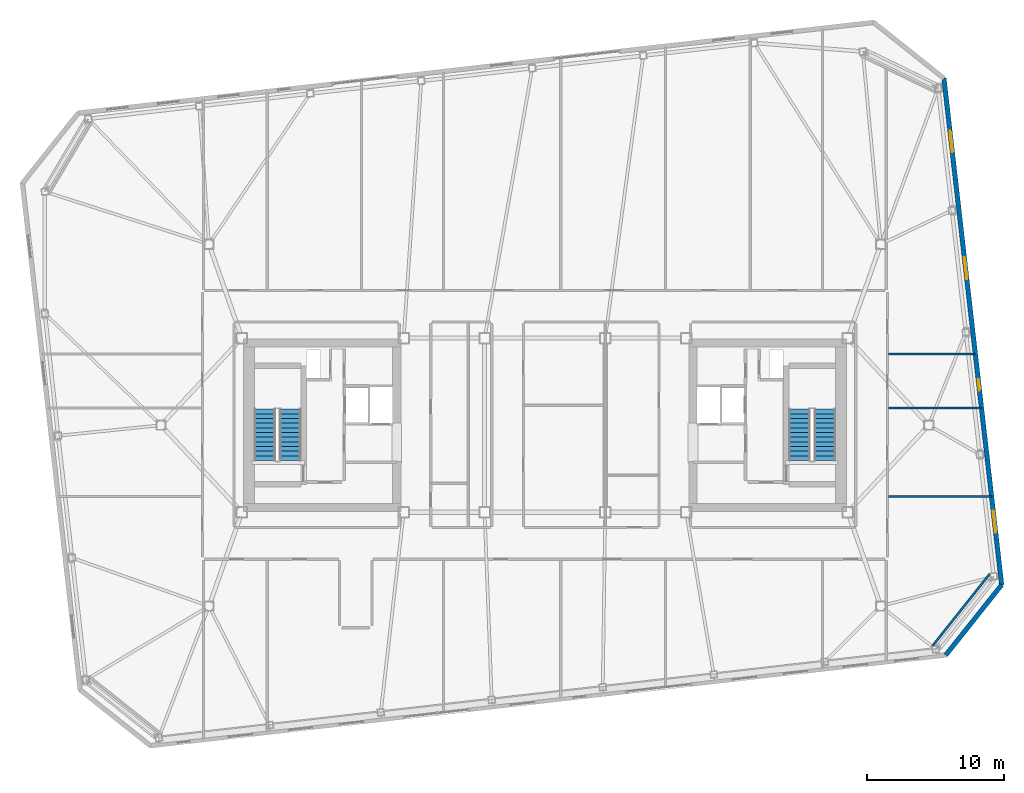
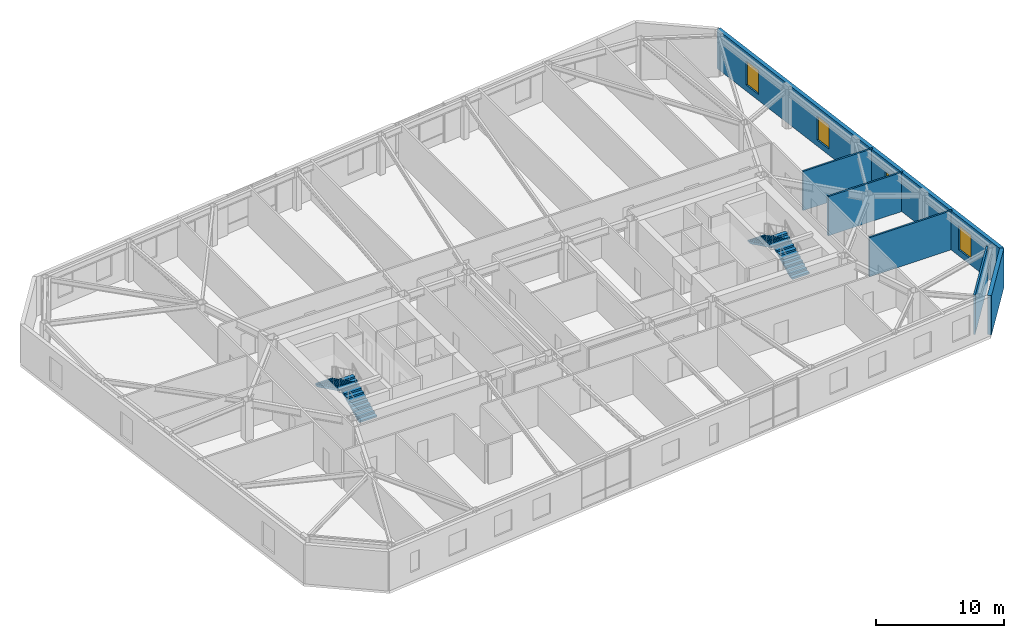
# One storey, part 16 of 19: 6 walls, 4 stair flights, 4 windows, 4 openings, 2 elements without a shape of their own.
"""IFC4 building model written with IfcOpenShell, lengths in metres."""

from ifc_helpers import new_model, si_unit, direction, frame, frame_2d, origin, place, context, subcontext, project, spatial, polyline, rectangle, outline, extrude, material, layer, layer_set, type_object, element, fill, aggregate, save


model = new_model("IFC4")

# Units and contexts
model_context = context("Model", 3, precision=1e-05, world=origin(), true_north=direction((0.0, 1.0)))
body_context = subcontext(model_context, "Body", "Model", "MODEL_VIEW")
ifc_project = project(units=[si_unit("LENGTHUNIT", "METRE"), si_unit("AREAUNIT", "SQUARE_METRE"), si_unit("VOLUMEUNIT", "CUBIC_METRE"), si_unit("PLANEANGLEUNIT", "RADIAN"), si_unit("MASSUNIT", "GRAM", prefix="KILO")], contexts=[model_context])

# Site, building, storey
site_placement = place(None, origin())
site = spatial("IfcSite", under=ifc_project, at=site_placement, CompositionType="ELEMENT")
building_placement = place(site_placement, origin())
building = spatial("IfcBuilding", under=site, at=building_placement, Name="Tavrogorsk Clinical Tower", CompositionType="ELEMENT")
storey_placement = place(building_placement, frame((0.0, 0.0, 259.0)))
storey = spatial("IfcBuildingStorey", under=building, at=storey_placement, Name="L60", CompositionType="ELEMENT", Elevation=259.0)

# Walls
ifc_material_1 = material(Name="Lightweight concrete blockwork B15", Category="masonry")
ifc_layer_1 = layer(ifc_material_1, 0.159912109375)
ifc_layer_set_1 = layer_set([ifc_layer_1], Name="Lightweight concrete blockwork B15")
wall_type_1 = type_object("IfcWallType", Name="PartitionWall_160", PredefinedType="PARTITIONING", material=ifc_layer_set_1)
wall_1_placement = place(storey_placement, frame((28.242431640625, -16.1337890625, 0.0), z_axis=(0.0, 0.0, 1.0), x_axis=(0.622521563328, 0.782602647064, 0.0)))
element("IfcWall", 1, at=wall_1_placement, inside=storey, type_object=wall_type_1, Name="L60 Corner Exoskeleton Brace Furring Wall 1", PredefinedType="PARTITIONING", context=body_context, shape_type="SweptSolid", body=[
    extrude(rectangle(XDim=6.788330078125, YDim=0.159912109375, at=frame_2d((3.39404296875, 0.0))), origin(), (0.0, 0.0, 1.0), 3.739990234375),
])
wall_2_placement = place(storey_placement, frame((25.06494140625, -5.199951171875, 0.0), z_axis=(0.0, 0.0, 1.0), x_axis=(1.0, 0.0, 0.0)))
element("IfcWall", 2, at=wall_2_placement, inside=storey, type_object=wall_type_1, Name="L60 E Wing Divider 1", PredefinedType="PARTITIONING", context=body_context, shape_type="SweptSolid", body=[
    extrude(rectangle(XDim=7.498046875, YDim=0.159912109375, at=frame_2d((3.7490234375, 0.0))), origin(), (0.0, 0.0, 1.0), 3.739990234375),
])
wall_3_placement = place(storey_placement, frame((25.06494140625, 1.25, 0.0), z_axis=(0.0, 0.0, 1.0), x_axis=(1.0, 0.0, 0.0)))
element("IfcWall", 3, at=wall_3_placement, inside=storey, type_object=wall_type_1, Name="L60 E Wing Divider 2", PredefinedType="PARTITIONING", context=body_context, shape_type="SweptSolid", body=[
    extrude(rectangle(XDim=6.76318359375, YDim=0.159912109375, at=frame_2d((3.381591796875, 0.0))), origin(), (0.0, 0.0, 1.0), 3.739990234375),
])
wall_4_placement = place(storey_placement, frame((25.06494140625, 5.199951171875, 0.0), z_axis=(0.0, 0.0, 1.0), x_axis=(1.0, 0.0, 0.0)))
element("IfcWall", 4, at=wall_4_placement, inside=storey, type_object=wall_type_1, Name="L60 E Wing Divider 3", PredefinedType="PARTITIONING", context=body_context, shape_type="SweptSolid", body=[
    extrude(rectangle(XDim=6.313232421875, YDim=0.159912109375, at=frame_2d((3.15673828125, 0.0))), origin(), (0.0, 0.0, 1.0), 3.739990234375),
])

# Wall, openings, windows
ifc_material_2 = material(Name="Precast concrete B45 with limestone cladding", Category="masonry")
ifc_layer_2 = layer(ifc_material_2, 0.340087890625)
ifc_layer_set_2 = layer_set([ifc_layer_2], Name="Precast concrete B45 with limestone cladding")
wall_type_2 = type_object("IfcWallType", Name="PrecastLimestoneWall_340", PredefinedType="STANDARD", material=ifc_layer_set_2)
wall_5_placement = place(storey_placement, frame((33.318115234375, -11.65087890625, 0.0), z_axis=(0.0, 0.0, 1.0), x_axis=(-0.11320360501, 0.9935718111, 0.0)))
wall_5 = element("IfcWall", 5, at=wall_5_placement, inside=storey, type_object=wall_type_2, Name="L60 E Pleated Limestone Wing Wall", PredefinedType="STANDARD", context=body_context, shape_type="SweptSolid", body=[
    extrude(rectangle(XDim=37.199951171875, YDim=0.340087890625, at=frame_2d((18.60009765625, 0.0))), origin(), (0.0, 0.0, 1.0), 3.739990234375),
])
opening_1_placement = place(wall_5_placement, frame((3.85009765625, 0.0, 0.580078125)))
opening_1 = element("IfcOpeningElement", 6, at=opening_1_placement, cuts=wall_5, Name="Opening WN-07", PredefinedType="OPENING", context=body_context, shape_type="SweptSolid", body=[
    extrude(rectangle(XDim=1.60009765625, YDim=2.300048828125, at=frame_2d((0.800048828125, 1.14990234375))), frame((0.0, 0.179931640625, 0.0), z_axis=(0.0, -1.0, 0.0), x_axis=(1.0, 0.0, 0.0)), (0.0, 0.0, 1.0), 0.360107421875),
])
opening_2_placement = place(wall_5_placement, frame((14.25, 0.0, 0.75)))
opening_2 = element("IfcOpeningElement", 7, at=opening_2_placement, cuts=wall_5, Name="Opening WN-06", PredefinedType="OPENING", context=body_context, shape_type="SweptSolid", body=[
    extrude(rectangle(XDim=0.85009765625, YDim=1.85009765625, at=frame_2d((0.425048828125, 0.925048828125))), frame((0.0, 0.179931640625, 0.0), z_axis=(0.0, -1.0, 0.0), x_axis=(1.0, 0.0, 0.0)), (0.0, 0.0, 1.0), 0.360107421875),
])
opening_3_placement = place(wall_5_placement, frame((22.449951171875, 0.0, 0.580078125)))
opening_3 = element("IfcOpeningElement", 8, at=opening_3_placement, cuts=wall_5, Name="Opening WN-07", PredefinedType="OPENING", context=body_context, shape_type="SweptSolid", body=[
    extrude(rectangle(XDim=1.60009765625, YDim=2.300048828125, at=frame_2d((0.800048828125, 1.14990234375))), frame((0.0, 0.179931640625, 0.0), z_axis=(0.0, -1.0, 0.0), x_axis=(1.0, 0.0, 0.0)), (0.0, 0.0, 1.0), 0.360107421875),
])
opening_4_placement = place(wall_5_placement, frame((31.75, 0.0, 0.580078125)))
opening_4 = element("IfcOpeningElement", 9, at=opening_4_placement, cuts=wall_5, Name="Opening WN-07", PredefinedType="OPENING", context=body_context, shape_type="SweptSolid", body=[
    extrude(rectangle(XDim=1.60009765625, YDim=2.300048828125, at=frame_2d((0.800048828125, 1.14990234375))), frame((0.0, 0.179931640625, 0.0), z_axis=(0.0, -1.0, 0.0), x_axis=(1.0, 0.0, 0.0)), (0.0, 0.0, 1.0), 0.360107421875),
])
ifc_material_3 = material(Name="Thermally broken aluminium frame and triple IGU", Category="aluminium")
window_type_1 = type_object("IfcWindowType", Name="MullionSubWin_850x1850", PartitioningType="SINGLE_PANEL", PredefinedType="WINDOW", material=ifc_material_3)
window_1_placement = place(opening_2_placement, origin())
window_1 = element("IfcWindow", 10, at=window_1_placement, inside=storey, type_object=window_type_1, Name="L60 E Pleat Mullion Window 2B", OverallHeight=1.85009765625, OverallWidth=0.85009765625, PartitioningType="SINGLE_PANEL", PredefinedType="WINDOW", context=body_context, shape_type="SweptSolid", body=[
    extrude(rectangle(XDim=0.85009765625, YDim=1.85009765625, at=frame_2d((0.425048828125, 0.925048828125))), frame((0.0, 0.030029296875, 0.0), z_axis=(0.0, -1.0, 0.0), x_axis=(1.0, 0.0, 0.0)), (0.0, 0.0, 1.0), 0.06005859375),
])
fill(opening_2, window_1)
ifc_material_4 = material(Name="Thermally broken aluminium frame and triple IGU", Category="aluminium")
window_type_2 = type_object("IfcWindowType", Name="PleatSlotWin_1600x2300", PartitioningType="SINGLE_PANEL", PredefinedType="WINDOW", material=ifc_material_4)
window_2_placement = place(opening_1_placement, origin())
window_2 = element("IfcWindow", 11, at=window_2_placement, inside=storey, type_object=window_type_2, Name="L60 E Pleat Slot Window 1", OverallHeight=2.300048828125, OverallWidth=1.60009765625, PartitioningType="SINGLE_PANEL", PredefinedType="WINDOW", context=body_context, shape_type="SweptSolid", body=[
    extrude(rectangle(XDim=1.60009765625, YDim=2.300048828125, at=frame_2d((0.800048828125, 1.14990234375))), frame((0.0, 0.030029296875, 0.0), z_axis=(0.0, -1.0, 0.0), x_axis=(1.0, 0.0, 0.0)), (0.0, 0.0, 1.0), 0.06005859375),
])
fill(opening_1, window_2)
window_3_placement = place(opening_3_placement, origin())
window_3 = element("IfcWindow", 12, at=window_3_placement, inside=storey, type_object=window_type_2, Name="L60 E Pleat Slot Window 3", OverallHeight=2.300048828125, OverallWidth=1.60009765625, PartitioningType="SINGLE_PANEL", PredefinedType="WINDOW", context=body_context, shape_type="SweptSolid", body=[
    extrude(rectangle(XDim=1.60009765625, YDim=2.300048828125, at=frame_2d((0.800048828125, 1.14990234375))), frame((0.0, 0.030029296875, 0.0), z_axis=(0.0, -1.0, 0.0), x_axis=(1.0, 0.0, 0.0)), (0.0, 0.0, 1.0), 0.06005859375),
])
fill(opening_3, window_3)
window_4_placement = place(opening_4_placement, origin())
window_4 = element("IfcWindow", 13, at=window_4_placement, inside=storey, type_object=window_type_2, Name="L60 E Pleat Slot Window 4", OverallHeight=2.300048828125, OverallWidth=1.60009765625, PartitioningType="SINGLE_PANEL", PredefinedType="WINDOW", context=body_context, shape_type="SweptSolid", body=[
    extrude(rectangle(XDim=1.60009765625, YDim=2.300048828125, at=frame_2d((0.800048828125, 1.14990234375))), frame((0.0, 0.030029296875, 0.0), z_axis=(0.0, -1.0, 0.0), x_axis=(1.0, 0.0, 0.0)), (0.0, 0.0, 1.0), 0.06005859375),
])
fill(opening_4, window_4)

# Wall
wall_6_placement = place(storey_placement, frame((29.241943359375, -16.775146484375, 0.0), z_axis=(0.0, 0.0, 1.0), x_axis=(0.62252823689, 0.78259733853, 0.0)))
element("IfcWall", 14, at=wall_6_placement, inside=storey, type_object=wall_type_2, Name="L60 Chamfered Corner Wall 1", PredefinedType="STANDARD", context=body_context, shape_type="SweptSolid", body=[
    extrude(rectangle(XDim=6.5478515625, YDim=0.340087890625, at=frame_2d((3.27392578125, 0.0))), origin(), (0.0, 0.0, 1.0), 3.739990234375),
])

# Stair, stair flights
ifc_material_5 = material(Name="Concrete B60", Category="concrete")
stair_type = type_object("IfcStairType", Name="CoreStairAssembly", PredefinedType="HALF_TURN_STAIR", material=ifc_material_5)
stair_1_placement = place(storey_placement, origin())
stair_1 = element("IfcStair", 15, at=stair_1_placement, inside=storey, type_object=stair_type, Name="L60 ST-W", PredefinedType="HALF_TURN_STAIR")
ifc_material_6 = material(Name="Concrete B60", Category="concrete")
stair_flight_type = type_object("IfcStairFlightType", Name="CoreStairFlight", PredefinedType="STRAIGHT", material=ifc_material_6)
stair_flight_1_placement = place(storey_placement, frame((-18.574951171875, -2.574951171875, 0.0), z_axis=(0.0, 0.0, 1.0), x_axis=(0.0, 1.0, 0.0)))
stair_flight_1 = element("IfcStairFlight", 16, at=stair_flight_1_placement, type_object=stair_flight_type, Name="ST-W flight 1", NumberOfRisers=12, NumberOfTreads=11, PredefinedType="STRAIGHT", RiserHeight=0.166666667, TreadLength=0.34, context=body_context, shape_type="SweptSolid", body=[
    extrude(outline(polyline([(0.0, 0.0), (0.0, 0.166748046875), (0.340087890625, 0.166748046875), (0.340087890625, 0.333251953125), (0.679931640625, 0.333251953125), (0.679931640625, 0.5), (1.02001953125, 0.5), (1.02001953125, 0.666748046875), (1.360107421875, 0.666748046875), (1.360107421875, 0.833251953125), (1.699951171875, 0.833251953125), (1.699951171875, 1.0), (2.0400390625, 1.0), (2.0400390625, 1.166748046875), (2.3798828125, 1.166748046875), (2.3798828125, 1.333251953125), (2.719970703125, 1.333251953125), (2.719970703125, 1.5), (3.06005859375, 1.5), (3.06005859375, 1.666748046875), (3.39990234375, 1.666748046875), (3.39990234375, 1.833251953125), (3.739990234375, 1.833251953125), (3.739990234375, 2.0), (3.739990234375, 1.66650390625), (0.340576171875, 0.0), (0.0, 0.0)])), frame((0.0, 0.77490234375, 0.0), z_axis=(0.0, -1.0, 0.0), x_axis=(1.0, 0.0, 0.0)), (0.0, 0.0, 1.0), 1.550048828125),
])
stair_flight_2_placement = place(storey_placement, frame((-20.425048828125, 1.1650390625, 2.0), z_axis=(0.0, 0.0, 1.0), x_axis=(0.0, -1.0, 0.0)))
stair_flight_2 = element("IfcStairFlight", 17, at=stair_flight_2_placement, type_object=stair_flight_type, Name="ST-W flight 2", NumberOfRisers=12, NumberOfTreads=11, PredefinedType="STRAIGHT", RiserHeight=0.166666667, TreadLength=0.34, context=body_context, shape_type="SweptSolid", body=[
    extrude(outline(polyline([(0.0, 0.0), (0.0, 0.166748046875), (0.340087890625, 0.166748046875), (0.340087890625, 0.333251953125), (0.679931640625, 0.333251953125), (0.679931640625, 0.5), (1.02001953125, 0.5), (1.02001953125, 0.666748046875), (1.360107421875, 0.666748046875), (1.360107421875, 0.833251953125), (1.699951171875, 0.833251953125), (1.699951171875, 1.0), (2.0400390625, 1.0), (2.0400390625, 1.166748046875), (2.3798828125, 1.166748046875), (2.3798828125, 1.333251953125), (2.719970703125, 1.333251953125), (2.719970703125, 1.5), (3.06005859375, 1.5), (3.06005859375, 1.666748046875), (3.39990234375, 1.666748046875), (3.39990234375, 1.833251953125), (3.739990234375, 1.833251953125), (3.739990234375, 2.0), (3.739990234375, 1.66650390625), (0.340576171875, 0.0), (0.0, 0.0)])), frame((0.0, 0.77490234375, 0.0), z_axis=(0.0, -1.0, 0.0), x_axis=(1.0, 0.0, 0.0)), (0.0, 0.0, 1.0), 1.550048828125),
])
aggregate(stair_1, [stair_flight_1, stair_flight_2])

stair_2_placement = place(storey_placement, origin())
stair_2 = element("IfcStair", 18, at=stair_2_placement, inside=storey, type_object=stair_type, Name="L60 ST-E", PredefinedType="HALF_TURN_STAIR")
stair_flight_3_placement = place(storey_placement, frame((20.425048828125, -2.574951171875, 0.0), z_axis=(0.0, 0.0, 1.0), x_axis=(0.0, 1.0, 0.0)))
stair_flight_3 = element("IfcStairFlight", 19, at=stair_flight_3_placement, type_object=stair_flight_type, Name="ST-E flight 1", NumberOfRisers=12, NumberOfTreads=11, PredefinedType="STRAIGHT", RiserHeight=0.166666667, TreadLength=0.34, context=body_context, shape_type="SweptSolid", body=[
    extrude(outline(polyline([(0.0, 0.0), (0.0, 0.166748046875), (0.340087890625, 0.166748046875), (0.340087890625, 0.333251953125), (0.679931640625, 0.333251953125), (0.679931640625, 0.5), (1.02001953125, 0.5), (1.02001953125, 0.666748046875), (1.360107421875, 0.666748046875), (1.360107421875, 0.833251953125), (1.699951171875, 0.833251953125), (1.699951171875, 1.0), (2.0400390625, 1.0), (2.0400390625, 1.166748046875), (2.3798828125, 1.166748046875), (2.3798828125, 1.333251953125), (2.719970703125, 1.333251953125), (2.719970703125, 1.5), (3.06005859375, 1.5), (3.06005859375, 1.666748046875), (3.39990234375, 1.666748046875), (3.39990234375, 1.833251953125), (3.739990234375, 1.833251953125), (3.739990234375, 2.0), (3.739990234375, 1.66650390625), (0.340576171875, 0.0), (0.0, 0.0)])), frame((0.0, 0.77490234375, 0.0), z_axis=(0.0, -1.0, 0.0), x_axis=(1.0, 0.0, 0.0)), (0.0, 0.0, 1.0), 1.550048828125),
])
stair_flight_4_placement = place(storey_placement, frame((18.574951171875, 1.1650390625, 2.0), z_axis=(0.0, 0.0, 1.0), x_axis=(0.0, -1.0, 0.0)))
stair_flight_4 = element("IfcStairFlight", 20, at=stair_flight_4_placement, type_object=stair_flight_type, Name="ST-E flight 2", NumberOfRisers=12, NumberOfTreads=11, PredefinedType="STRAIGHT", RiserHeight=0.166666667, TreadLength=0.34, context=body_context, shape_type="SweptSolid", body=[
    extrude(outline(polyline([(0.0, 0.0), (0.0, 0.166748046875), (0.340087890625, 0.166748046875), (0.340087890625, 0.333251953125), (0.679931640625, 0.333251953125), (0.679931640625, 0.5), (1.02001953125, 0.5), (1.02001953125, 0.666748046875), (1.360107421875, 0.666748046875), (1.360107421875, 0.833251953125), (1.699951171875, 0.833251953125), (1.699951171875, 1.0), (2.0400390625, 1.0), (2.0400390625, 1.166748046875), (2.3798828125, 1.166748046875), (2.3798828125, 1.333251953125), (2.719970703125, 1.333251953125), (2.719970703125, 1.5), (3.06005859375, 1.5), (3.06005859375, 1.666748046875), (3.39990234375, 1.666748046875), (3.39990234375, 1.833251953125), (3.739990234375, 1.833251953125), (3.739990234375, 2.0), (3.739990234375, 1.66650390625), (0.340576171875, 0.0), (0.0, 0.0)])), frame((0.0, 0.77490234375, 0.0), z_axis=(0.0, -1.0, 0.0), x_axis=(1.0, 0.0, 0.0)), (0.0, 0.0, 1.0), 1.550048828125),
])
aggregate(stair_2, [stair_flight_3, stair_flight_4])

save(model, "model.ifc")
